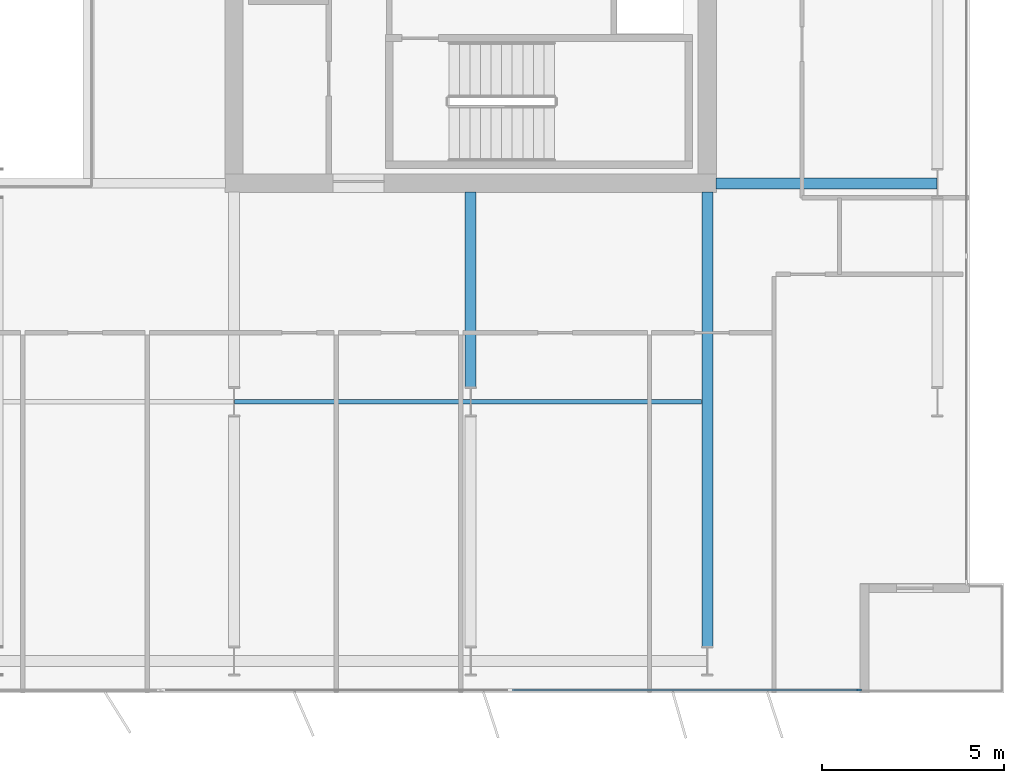
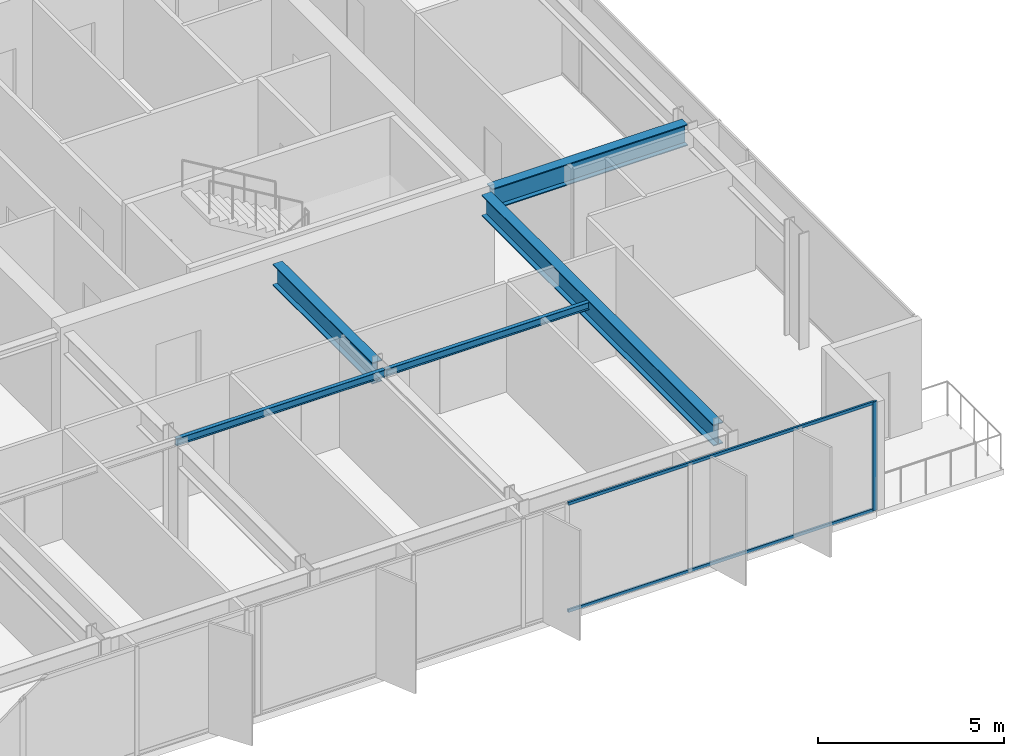
# One storey, part 8 of 24: 5 beams, 3 members, 1 element without a shape of its own.
"""IFC4 building model written with IfcOpenShell, lengths in metres."""

from ifc_helpers import new_model, si_unit, direction, frame, origin, origin_2d, place, context, subcontext, project, spatial, rectangle, i_section, extrude, material, layer, layer_set, material_profile, profile_set, type_object, element, aggregate, save


model = new_model("IFC4")

# Units and contexts
model_context = context("Model", 3, precision=1e-05, world=origin(), true_north=direction((0.0, 1.0)))
body_context = subcontext(model_context, "Body", "Model", "MODEL_VIEW")
ifc_project = project(units=[si_unit("LENGTHUNIT", "METRE"), si_unit("AREAUNIT", "SQUARE_METRE"), si_unit("VOLUMEUNIT", "CUBIC_METRE"), si_unit("PLANEANGLEUNIT", "RADIAN"), si_unit("MASSUNIT", "GRAM", prefix="KILO")], contexts=[model_context])

# Site, building, storey
site_placement = place(None, origin())
site = spatial("IfcSite", under=ifc_project, at=site_placement, CompositionType="ELEMENT")
building_placement = place(site_placement, origin())
building = spatial("IfcBuilding", under=site, at=building_placement, Name="Putna Gate Headquarters", CompositionType="ELEMENT")
storey_placement = place(building_placement, frame((0.0, 0.0, 244.199951171875)))
storey = spatial("IfcBuildingStorey", under=building, at=storey_placement, Name="L61", CompositionType="ELEMENT", Elevation=244.199951171875)

# Beams
ifc_material_1 = material(Name="Steel S355J2", Category="steel")
ifc_material_profile_1 = material_profile(ifc_material_1, i_section(OverallWidth=0.300048828125, OverallDepth=0.699951171875, WebThickness=0.01708984375, FlangeThickness=0.031982421875, at=origin_2d()), Name="Steel S355J2")
ifc_profile_set_1 = profile_set([ifc_material_profile_1], Name="Steel S355J2")
beam_type_1 = type_object("IfcBeamType", Name="BM-GIRD-B-HEB700", PredefinedType="USERDEFINED", material=ifc_profile_set_1)
beam_1_placement = place(storey_placement, frame((65.235107421875, 19.0, 3.22998046875), z_axis=(1.0, 0.0, 0.0), x_axis=(0.0, 1.0, 0.0)))
element("IfcBeam", 1, at=beam_1_placement, inside=storey, type_object=beam_type_1, Name="L61 East Wing Girder Y19", ObjectType="GIRDER", PredefinedType="USERDEFINED", context=body_context, shape_type="SweptSolid", body=[
    extrude(i_section(OverallWidth=0.300048828125, OverallDepth=0.699951171875, WebThickness=0.01708984375, FlangeThickness=0.031982421875, at=origin_2d()), origin(), (0.0, 0.0, 1.0), 6.078857421875),
])
beam_2_placement = place(storey_placement, frame((58.5, 13.39501953125, 3.22998046875), z_axis=(0.0, 1.0, 0.0), x_axis=(-1.0, 0.0, 0.0)))
element("IfcBeam", 2, at=beam_2_placement, inside=storey, type_object=beam_type_1, Name="L61 South Primary Girder X58-2", ObjectType="GIRDER", PredefinedType="USERDEFINED", context=body_context, shape_type="SweptSolid", body=[
    extrude(i_section(OverallWidth=0.300048828125, OverallDepth=0.699951171875, WebThickness=0.01708984375, FlangeThickness=0.031982421875, at=origin_2d()), origin(), (0.0, 0.0, 1.0), 5.369873046875),
])
beam_3_placement = place(storey_placement, frame((65.0, 6.27490234375, 3.22998046875), z_axis=(0.0, 1.0, 0.0), x_axis=(-1.0, 0.0, 0.0)))
element("IfcBeam", 3, at=beam_3_placement, inside=storey, type_object=beam_type_1, Name="L61 South Primary Girder X65", ObjectType="GIRDER", PredefinedType="USERDEFINED", context=body_context, shape_type="SweptSolid", body=[
    extrude(i_section(OverallWidth=0.300048828125, OverallDepth=0.699951171875, WebThickness=0.01708984375, FlangeThickness=0.031982421875, at=origin_2d()), origin(), (0.0, 0.0, 1.0), 12.489990234375),
])
ifc_material_profile_2 = material_profile(ifc_material_1, i_section(OverallWidth=0.1201171875, OverallDepth=0.239990234375, WebThickness=0.006103515625, FlangeThickness=0.009765625, at=origin_2d()), Name="Steel S355J2")
ifc_profile_set_2 = profile_set([ifc_material_profile_2], Name="Steel S355J2")
beam_type_2 = type_object("IfcBeamType", Name="BM-SEC-Z4-IPE240", PredefinedType="JOIST", material=ifc_profile_set_2)
beam_4_placement = place(storey_placement, frame((52.006103515625, 13.0, 3.4599609375), z_axis=(1.0, 0.0, 0.0), x_axis=(0.0, 1.0, 0.0)))
element("IfcBeam", 4, at=beam_4_placement, inside=storey, type_object=beam_type_2, Name="L61 South Secondary Beam 7", PredefinedType="JOIST", context=body_context, shape_type="SweptSolid", body=[
    extrude(i_section(OverallWidth=0.1201171875, OverallDepth=0.239990234375, WebThickness=0.006103515625, FlangeThickness=0.009765625, at=origin_2d()), origin(), (0.0, 0.0, 1.0), 6.48779296875),
])
beam_5_placement = place(storey_placement, frame((58.506103515625, 13.0, 3.4599609375), z_axis=(1.0, 0.0, 0.0), x_axis=(0.0, 1.0, 0.0)))
element("IfcBeam", 5, at=beam_5_placement, inside=storey, type_object=beam_type_2, Name="L61 South Secondary Beam 8", PredefinedType="JOIST", context=body_context, shape_type="SweptSolid", body=[
    extrude(i_section(OverallWidth=0.1201171875, OverallDepth=0.239990234375, WebThickness=0.006103515625, FlangeThickness=0.009765625, at=origin_2d()), origin(), (0.0, 0.0, 1.0), 6.33984375),
])

# Curtain wall, members
ifc_material_2 = material(Name="Anodised bronze aluminium curtain wall", Category="aluminium")
ifc_layer = layer(ifc_material_2, 0.139892578125)
ifc_layer_set = layer_set([ifc_layer], Name="Anodised bronze aluminium curtain wall")
curtain_wall_type = type_object("IfcCurtainWallType", Name="CW-SYS-Z4", PredefinedType="USERDEFINED", material=ifc_layer_set)
curtain_wall_placement = place(storey_placement, origin())
curtain_wall = element("IfcCurtainWall", 6, at=curtain_wall_placement, inside=storey, type_object=curtain_wall_type, Name="L61 South East Curtain Wall", ObjectType="STICK CURTAIN WALL", PredefinedType="USERDEFINED")
ifc_material_3 = material(Name="Anodised bronze aluminium EN AW-6060", Category="aluminium")
ifc_material_profile_3 = material_profile(ifc_material_3, rectangle(XDim=0.06005859375, YDim=0.139892578125, at=origin_2d()), Name="Anodised bronze aluminium EN AW-6060")
ifc_profile_set_3 = profile_set([ifc_material_profile_3], Name="Anodised bronze aluminium EN AW-6060")
member_type_1 = type_object("IfcMemberType", Name="MULL-CWM-4", PredefinedType="MULLION", material=ifc_profile_set_3)
member_1_placement = place(storey_placement, frame((69.169921875, 5.080078125, 0.0), z_axis=(0.0, 0.0, 1.0), x_axis=(0.0, 1.0, 0.0)))
member_1 = element("IfcMember", 7, at=member_1_placement, type_object=member_type_1, Name="CWS-4 mullion 3", PredefinedType="MULLION", context=body_context, shape_type="SweptSolid", body=[
    extrude(rectangle(XDim=0.06005859375, YDim=0.139892578125, at=origin_2d()), origin(), (0.0, 0.0, 1.0), 3.580078125),
])
ifc_material_profile_4 = material_profile(ifc_material_3, rectangle(XDim=0.06005859375, YDim=0.10009765625, at=origin_2d()), Name="Anodised bronze aluminium EN AW-6060")
ifc_profile_set_4 = profile_set([ifc_material_profile_4], Name="Anodised bronze aluminium EN AW-6060")
member_type_2 = type_object("IfcMemberType", Name="TRAN-CWT-4", PredefinedType="USERDEFINED", material=ifc_profile_set_4)
member_2_placement = place(storey_placement, frame((59.6298828125, 5.080078125, 0.030029296875), z_axis=(1.0, 0.0, 0.0), x_axis=(0.0, 1.0, 0.0)))
member_2 = element("IfcMember", 8, at=member_2_placement, type_object=member_type_2, Name="CWS-4 transom 2.1", ObjectType="TRANSOM", PredefinedType="USERDEFINED", context=body_context, shape_type="SweptSolid", body=[
    extrude(rectangle(XDim=0.06005859375, YDim=0.10009765625, at=origin_2d()), origin(), (0.0, 0.0, 1.0), 9.510009765625),
])
member_3_placement = place(storey_placement, frame((59.6298828125, 5.080078125, 3.550048828125), z_axis=(1.0, 0.0, 0.0), x_axis=(0.0, 1.0, 0.0)))
member_3 = element("IfcMember", 9, at=member_3_placement, type_object=member_type_2, Name="CWS-4 transom 2.2", ObjectType="TRANSOM", PredefinedType="USERDEFINED", context=body_context, shape_type="SweptSolid", body=[
    extrude(rectangle(XDim=0.06005859375, YDim=0.10009765625, at=origin_2d()), origin(), (0.0, 0.0, 1.0), 9.510009765625),
])
aggregate(curtain_wall, [member_1, member_2, member_3])

save(model, "model.ifc")
